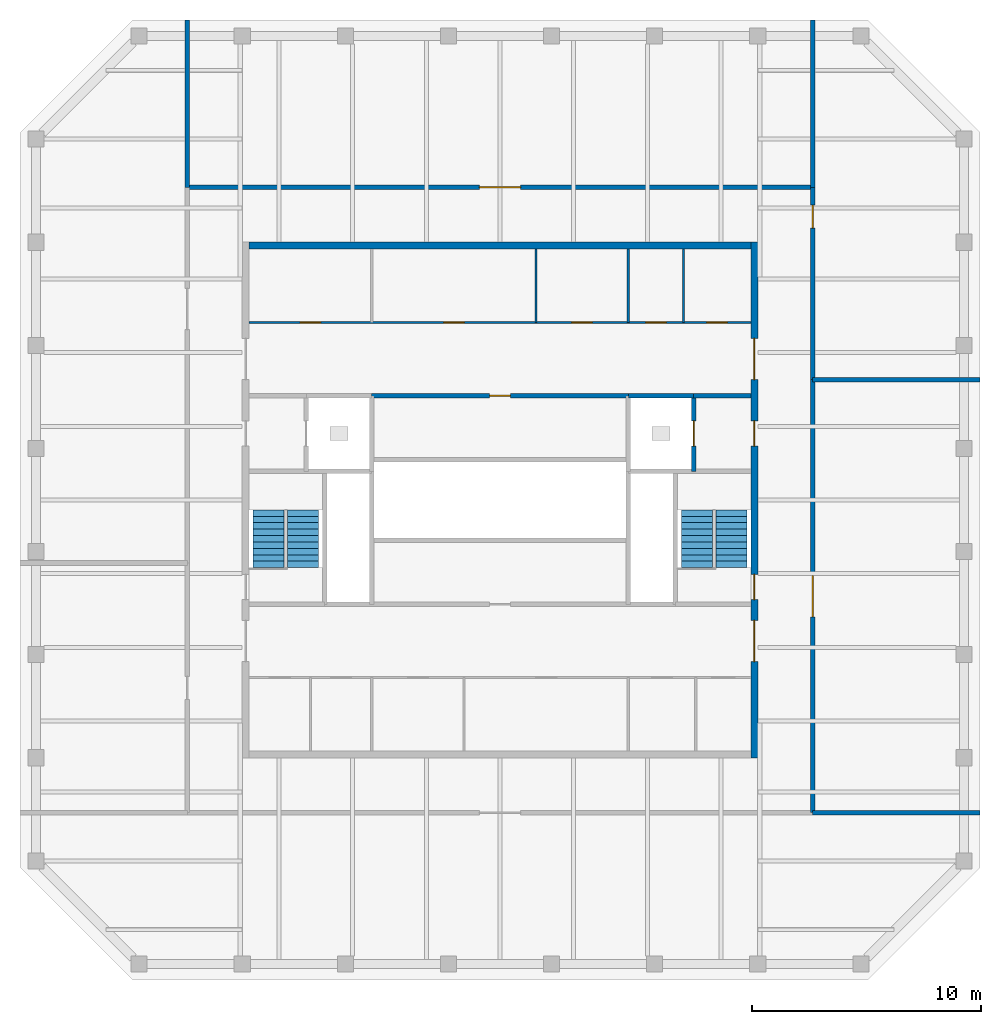
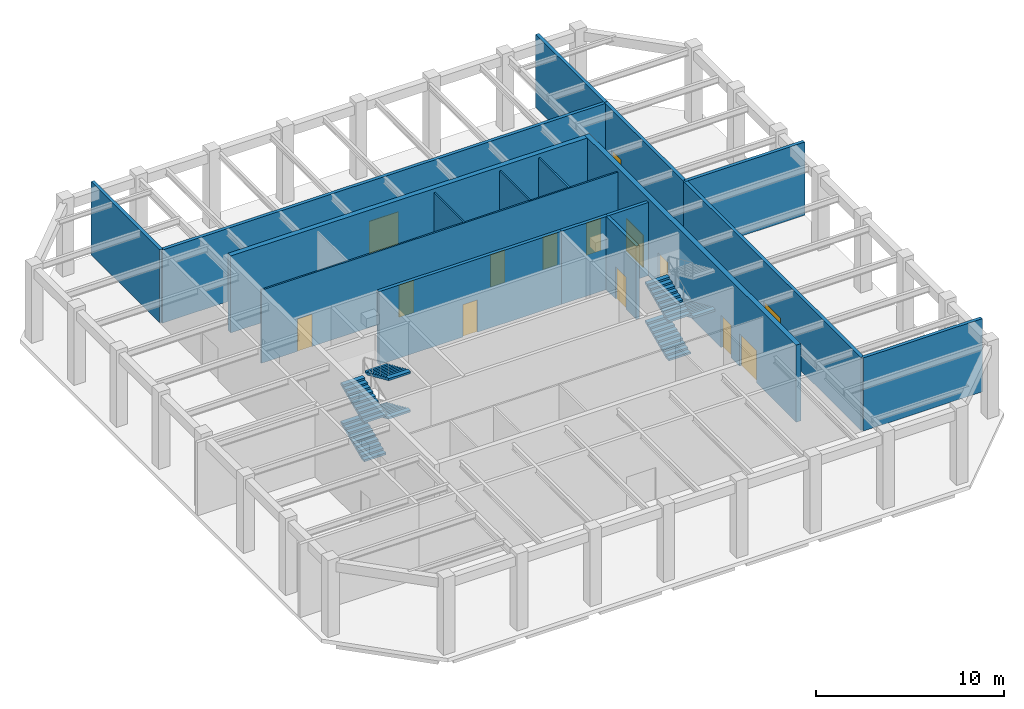
# One storey, part 4 of 6: 17 walls, 14 doors, 7 stair flights, 14 openings, 2 elements without a shape of their own.
"""IFC4 building model written with IfcOpenShell, lengths in metres."""

from ifc_helpers import new_model, si_unit, direction, frame, frame_2d, origin, place, context, subcontext, project, spatial, polyline, rectangle, outline, extrude, material, layer, layer_set, type_object, element, fill, aggregate, save


model = new_model("IFC4")

# Units and contexts
model_context = context("Model", 3, precision=1e-05, world=origin(), true_north=direction((0.0, 1.0)))
body_context = subcontext(model_context, "Body", "Model", "MODEL_VIEW")
ifc_project = project(units=[si_unit("LENGTHUNIT", "METRE"), si_unit("AREAUNIT", "SQUARE_METRE"), si_unit("VOLUMEUNIT", "CUBIC_METRE"), si_unit("PLANEANGLEUNIT", "RADIAN"), si_unit("MASSUNIT", "GRAM", prefix="KILO")], contexts=[model_context])

# Site, building, storey
site_placement = place(None, origin())
site = spatial("IfcSite", under=ifc_project, at=site_placement, CompositionType="ELEMENT")
building_placement = place(site_placement, origin())
building = spatial("IfcBuilding", under=site, at=building_placement, Name="Quoin Convention Tower", CompositionType="ELEMENT")
storey_placement = place(building_placement, frame((0.0, 0.0, 268.699951171875)))
storey = spatial("IfcBuildingStorey", under=building, at=storey_placement, Name="L70", CompositionType="ELEMENT", Elevation=268.699951171875)

# Wall, openings, doors
ifc_material_1 = material(Name="Plasterboard")
ifc_layer_1 = layer(ifc_material_1, 0.012451171875, Name="Finish")
ifc_material_2 = material(Name="Steel stud framing", Category="steel")
ifc_layer_2 = layer(ifc_material_2, 0.074951171875, Name="Structure")
ifc_layer_3 = layer(ifc_material_1, 0.012451171875, Name="Finish")
ifc_layer_set_1 = layer_set([ifc_layer_1, ifc_layer_2, ifc_layer_3], Name="Steel stud framing")
wall_type_1 = type_object("IfcWallType", Name="Core partition wall", PredefinedType="PARTITIONING", material=ifc_layer_set_1)
wall_1_placement = place(storey_placement, frame((45.300048828125, 68.5, 0.0), z_axis=(0.0, 0.0, 1.0), x_axis=(1.0, 0.0, 0.0)))
wall_1 = element("IfcWall", 1, at=wall_1_placement, inside=storey, type_object=wall_type_1, Name="cr-C1-L70-h19000_300", PredefinedType="PARTITIONING", context=body_context, shape_type="SweptSolid", body=[
    extrude(rectangle(XDim=21.89990234375, YDim=0.10009765625, at=frame_2d((10.949951171875, 0.0))), origin(), (0.0, 0.0, 1.0), 4.75),
])
opening_1_placement = place(wall_1_placement, frame((19.978759765625, 0.0, 0.0)))
opening_1 = element("IfcOpeningElement", 2, at=opening_1_placement, cuts=wall_1, Name="Opening DCV0-14", PredefinedType="OPENING", context=body_context, shape_type="SweptSolid", body=[
    extrude(rectangle(XDim=0.89990234375, YDim=2.10009765625, at=frame_2d((0.449951171875, 1.050048828125))), frame((0.0, 0.06005859375, 0.0), z_axis=(0.0, -1.0, 0.0), x_axis=(1.0, 0.0, 0.0)), (0.0, 0.0, 1.0), 0.1201171875),
])
opening_2_placement = place(wall_1_placement, frame((17.3037109375, 0.0, 0.0)))
opening_2 = element("IfcOpeningElement", 3, at=opening_2_placement, cuts=wall_1, Name="Opening DCV0-13", PredefinedType="OPENING", context=body_context, shape_type="SweptSolid", body=[
    extrude(rectangle(XDim=0.89990234375, YDim=2.10009765625, at=frame_2d((0.449951171875, 1.050048828125))), frame((0.0, 0.06005859375, 0.0), z_axis=(0.0, -1.0, 0.0), x_axis=(1.0, 0.0, 0.0)), (0.0, 0.0, 1.0), 0.1201171875),
])
opening_3_placement = place(wall_1_placement, frame((2.22509765625, 0.0, 0.0)))
opening_3 = element("IfcOpeningElement", 4, at=opening_3_placement, cuts=wall_1, Name="Opening DCV0-10", PredefinedType="OPENING", context=body_context, shape_type="SweptSolid", body=[
    extrude(rectangle(XDim=0.89990234375, YDim=2.10009765625, at=frame_2d((0.449951171875, 1.050048828125))), frame((0.0, 0.06005859375, 0.0), z_axis=(0.0, -1.0, 0.0), x_axis=(1.0, 0.0, 0.0)), (0.0, 0.0, 1.0), 0.1201171875),
])
opening_4_placement = place(wall_1_placement, frame((14.083984375, 0.0, 0.0)))
opening_4 = element("IfcOpeningElement", 5, at=opening_4_placement, cuts=wall_1, Name="Opening DCV0-12", PredefinedType="OPENING", context=body_context, shape_type="SweptSolid", body=[
    extrude(rectangle(XDim=0.89990234375, YDim=2.10009765625, at=frame_2d((0.449951171875, 1.050048828125))), frame((0.0, 0.06005859375, 0.0), z_axis=(0.0, -1.0, 0.0), x_axis=(1.0, 0.0, 0.0)), (0.0, 0.0, 1.0), 0.1201171875),
])
opening_5_placement = place(wall_1_placement, frame((8.48388671875, 0.0, 0.0)))
opening_5 = element("IfcOpeningElement", 6, at=opening_5_placement, cuts=wall_1, Name="Opening DCV0-11", PredefinedType="OPENING", context=body_context, shape_type="SweptSolid", body=[
    extrude(rectangle(XDim=0.89990234375, YDim=2.10009765625, at=frame_2d((0.449951171875, 1.050048828125))), frame((0.0, 0.06005859375, 0.0), z_axis=(0.0, -1.0, 0.0), x_axis=(1.0, 0.0, 0.0)), (0.0, 0.0, 1.0), 0.1201171875),
])
ifc_material_3 = material(Name="Steel door leaf", Category="steel")
door_type_1 = type_object("IfcDoorType", Name="Core room door 900 x 2100", OperationType="SINGLE_SWING_LEFT", PredefinedType="DOOR", material=ifc_material_3)
door_1_placement = place(opening_1_placement, origin())
door_1 = element("IfcDoor", 7, at=door_1_placement, inside=storey, type_object=door_type_1, Name="cd-C1-L70-CNE0-lobB-CD7007", OperationType="SINGLE_SWING_LEFT", OverallHeight=2.10009765625, OverallWidth=0.89990234375, PredefinedType="DOOR", context=body_context, shape_type="SweptSolid", body=[
    extrude(rectangle(XDim=0.89990234375, YDim=2.10009765625, at=frame_2d((0.449951171875, 1.050048828125))), frame((0.0, 0.02490234375, 0.0), z_axis=(0.0, -1.0, 0.0), x_axis=(1.0, 0.0, 0.0)), (0.0, 0.0, 1.0), 0.050048828125),
])
fill(opening_1, door_1)
door_2_placement = place(opening_2_placement, origin())
door_2 = element("IfcDoor", 8, at=door_2_placement, inside=storey, type_object=door_type_1, Name="cd-C1-L70-CNE1-lobB-CD7008", OperationType="SINGLE_SWING_RIGHT", OverallHeight=2.10009765625, OverallWidth=0.89990234375, PredefinedType="DOOR", context=body_context, shape_type="SweptSolid", body=[
    extrude(rectangle(XDim=0.89990234375, YDim=2.10009765625, at=frame_2d((0.449951171875, 1.050048828125))), frame((0.0, 0.02490234375, 0.0), z_axis=(0.0, -1.0, 0.0), x_axis=(1.0, 0.0, 0.0)), (0.0, 0.0, 1.0), 0.050048828125),
])
fill(opening_2, door_2)
door_3_placement = place(opening_3_placement, origin())
door_3 = element("IfcDoor", 9, at=door_3_placement, inside=storey, type_object=door_type_1, Name="cd-C1-L70-CNW0-lobB-CD7009", OperationType="SINGLE_SWING_RIGHT", OverallHeight=2.10009765625, OverallWidth=0.89990234375, PredefinedType="DOOR", context=body_context, shape_type="SweptSolid", body=[
    extrude(rectangle(XDim=0.89990234375, YDim=2.10009765625, at=frame_2d((0.449951171875, 1.050048828125))), frame((0.0, 0.02490234375, 0.0), z_axis=(0.0, -1.0, 0.0), x_axis=(1.0, 0.0, 0.0)), (0.0, 0.0, 1.0), 0.050048828125),
])
fill(opening_3, door_3)
door_4_placement = place(opening_4_placement, origin())
door_4 = element("IfcDoor", 10, at=door_4_placement, inside=storey, type_object=door_type_1, Name="cd-C1-L70-F40-lobB-CD7018", OperationType="SINGLE_SWING_RIGHT", OverallHeight=2.10009765625, OverallWidth=0.89990234375, PredefinedType="DOOR", context=body_context, shape_type="SweptSolid", body=[
    extrude(rectangle(XDim=0.89990234375, YDim=2.10009765625, at=frame_2d((0.449951171875, 1.050048828125))), frame((0.0, 0.02490234375, 0.0), z_axis=(0.0, -1.0, 0.0), x_axis=(1.0, 0.0, 0.0)), (0.0, 0.0, 1.0), 0.050048828125),
])
fill(opening_4, door_4)
door_5_placement = place(opening_5_placement, origin())
door_5 = element("IfcDoor", 11, at=door_5_placement, inside=storey, type_object=door_type_1, Name="cd-C1-L70-F41-lobB-CD7019", OperationType="SINGLE_SWING_RIGHT", OverallHeight=2.10009765625, OverallWidth=0.89990234375, PredefinedType="DOOR", context=body_context, shape_type="SweptSolid", body=[
    extrude(rectangle(XDim=0.89990234375, YDim=2.10009765625, at=frame_2d((0.449951171875, 1.050048828125))), frame((0.0, 0.02490234375, 0.0), z_axis=(0.0, -1.0, 0.0), x_axis=(1.0, 0.0, 0.0)), (0.0, 0.0, 1.0), 0.050048828125),
])
fill(opening_5, door_5)

# Walls
for number, where, z_axis, x_axis, name in (
    (12, (57.818115234375, 68.5, 0.0), (0.0, 0.0, 1.0), (0.0, 1.0, 0.0), "cr-C1-L70-v12818_19000"),
    (13, (61.85009765625, 68.5, 0.0), (0.0, 0.0, 1.0), (0.0, 1.0, 0.0), "cr-C1-L70-v16850_19000"),
    (14, (64.257568359375, 68.5, 0.0), (0.0, 0.0, 1.0), (0.0, 1.0, 0.0), "cr-C1-L70-v19258_19000"),
):
    element("IfcWall", number, at=place(storey_placement, frame(where, z_axis=z_axis, x_axis=x_axis)), inside=storey, type_object=wall_type_1, Name=name, PredefinedType="PARTITIONING", context=body_context, shape_type="SweptSolid", body=[
        extrude(rectangle(XDim=3.199951171875, YDim=0.10009765625, at=frame_2d((1.60009765625, 0.0))), origin(), (0.0, 0.0, 1.0), 4.75),
    ])
ifc_material_4 = material(Name="Concrete C50", Category="concrete")
ifc_layer_4 = layer(ifc_material_4, 0.199951171875)
ifc_layer_set_2 = layer_set([ifc_layer_4], Name="Concrete C50")
wall_type_2 = type_object("IfcWallType", Name="Core shaft wall", PredefinedType="SOLIDWALL", material=ifc_layer_set_2)
wall_2_placement = place(storey_placement, frame((64.699951171875, 65.300048828125, 0.0), z_axis=(0.0, 0.0, 1.0), x_axis=(1.0, 0.0, 0.0)))
element("IfcWall", 15, at=wall_2_placement, inside=storey, type_object=wall_type_2, Name="cr-C1-L70-h15800_19700", PredefinedType="SOLIDWALL", context=body_context, shape_type="SweptSolid", body=[
    extrude(rectangle(XDim=2.5, YDim=0.199951171875, at=frame_2d((1.25, 0.0))), origin(), (0.0, 0.0, 1.0), 4.75),
])

# Wall, opening, door
wall_3_placement = place(storey_placement, frame((50.64990234375, 65.300048828125, 0.0), z_axis=(0.0, 0.0, 1.0), x_axis=(1.0, 0.0, 0.0)))
wall_3 = element("IfcWall", 16, at=wall_3_placement, inside=storey, type_object=wall_type_2, Name="cr-C1-L70-h15800_5650", PredefinedType="SOLIDWALL", context=body_context, shape_type="SweptSolid", body=[
    extrude(rectangle(XDim=11.2001953125, YDim=0.199951171875, at=frame_2d((5.60009765625, 0.0))), origin(), (0.0, 0.0, 1.0), 4.75),
])
opening_6_placement = place(wall_3_placement, frame((5.14990234375, 0.0, 0.0)))
opening_6 = element("IfcOpeningElement", 17, at=opening_6_placement, cuts=wall_3, Name="Opening DCV0-02", PredefinedType="OPENING", context=body_context, shape_type="SweptSolid", body=[
    extrude(rectangle(XDim=0.89990234375, YDim=2.10009765625, at=frame_2d((0.449951171875, 1.050048828125))), frame((0.0, 0.10986328125, 0.0), z_axis=(0.0, -1.0, 0.0), x_axis=(1.0, 0.0, 0.0)), (0.0, 0.0, 1.0), 0.219970703125),
])
door_6_placement = place(opening_6_placement, frame((0.89990234375, 0.0, 0.0), z_axis=(0.0, 0.0, 1.0), x_axis=(-1.0, 0.0, 0.0)))
door_6 = element("IfcDoor", 18, at=door_6_placement, inside=storey, type_object=door_type_1, Name="cd-C1-L70-F30-lobB-CD7017", OperationType="SINGLE_SWING_LEFT", OverallHeight=2.10009765625, OverallWidth=0.89990234375, PredefinedType="DOOR", context=body_context, shape_type="SweptSolid", body=[
    extrude(rectangle(XDim=0.89990234375, YDim=2.10009765625, at=frame_2d((0.449951171875, 1.050048828125))), frame((0.0, 0.02490234375, 0.0), z_axis=(0.0, -1.0, 0.0), x_axis=(1.0, 0.0, 0.0)), (0.0, 0.0, 1.0), 0.050048828125),
])
fill(opening_6, door_6)

# Wall
wall_4_placement = place(storey_placement, frame((61.85009765625, 65.300048828125, 0.0), z_axis=(0.0, 0.0, 1.0), x_axis=(1.0, 0.0, 0.0)))
element("IfcWall", 19, at=wall_4_placement, inside=storey, type_object=wall_type_2, Name="cr-C1-L70-h15800_16850", PredefinedType="SOLIDWALL", context=body_context, shape_type="SweptSolid", body=[
    extrude(rectangle(XDim=2.849853515625, YDim=0.199951171875, at=frame_2d((1.4248046875, 0.0))), origin(), (0.0, 0.0, 1.0), 4.75),
])

# Wall, opening, door
wall_5_placement = place(storey_placement, frame((64.699951171875, 62.0, 0.0), z_axis=(0.0, 0.0, 1.0), x_axis=(0.0, 1.0, 0.0)))
wall_5 = element("IfcWall", 20, at=wall_5_placement, inside=storey, type_object=wall_type_2, Name="cr-C1-L70-v19700_12500", PredefinedType="SOLIDWALL", context=body_context, shape_type="SweptSolid", body=[
    extrude(rectangle(XDim=3.300048828125, YDim=0.199951171875, at=frame_2d((1.64990234375, 0.0))), origin(), (0.0, 0.0, 1.0), 4.75),
])
opening_7_placement = place(wall_5_placement, frame((1.10009765625, 0.0, 0.0)))
opening_7 = element("IfcOpeningElement", 21, at=opening_7_placement, cuts=wall_5, Name="Opening LDFL2", PredefinedType="OPENING", context=body_context, shape_type="SweptSolid", body=[
    extrude(rectangle(XDim=1.10009765625, YDim=2.10009765625, at=frame_2d((0.550048828125, 1.050048828125))), frame((0.0, 0.10986328125, 0.0), z_axis=(0.0, -1.0, 0.0), x_axis=(1.0, 0.0, 0.0)), (0.0, 0.0, 1.0), 0.219970703125),
])
door_type_2 = type_object("IfcDoorType", Name="Lift landing door 1100 x 2100", OperationType="DOUBLE_DOOR_SLIDING", PredefinedType="DOOR", material=ifc_material_3)
door_7_placement = place(opening_7_placement, origin())
door_7 = element("IfcDoor", 22, at=door_7_placement, inside=storey, type_object=door_type_2, Name="cd-C1-L70-FLE-FFE-LDFL2", OperationType="DOUBLE_DOOR_SLIDING", OverallHeight=2.10009765625, OverallWidth=1.10009765625, PredefinedType="DOOR", context=body_context, shape_type="SweptSolid", body=[
    extrude(rectangle(XDim=1.10009765625, YDim=2.10009765625, at=frame_2d((0.550048828125, 1.050048828125))), frame((0.0, 0.02490234375, 0.0), z_axis=(0.0, -1.0, 0.0), x_axis=(1.0, 0.0, 0.0)), (0.0, 0.0, 1.0), 0.050048828125),
])
fill(opening_7, door_7)

# Wall
ifc_layer_5 = layer(ifc_material_1, 0.012451171875, Name="Finish")
ifc_layer_6 = layer(ifc_material_2, 0.175048828125, Name="Structure")
ifc_layer_7 = layer(ifc_material_1, 0.012451171875, Name="Finish")
ifc_layer_set_3 = layer_set([ifc_layer_5, ifc_layer_6, ifc_layer_7], Name="Steel stud framing")
wall_type_3 = type_object("IfcWallType", Name="Plant room wall 200", PredefinedType="PARTITIONING", material=ifc_layer_set_3)
wall_6_placement = place(storey_placement, frame((69.89990234375, 47.10009765625, 0.0), z_axis=(0.0, 0.0, 1.0), x_axis=(1.0, 0.0, 0.0)))
element("IfcWall", 23, at=wall_6_placement, inside=storey, type_object=wall_type_3, Name="pw-L70-004", PredefinedType="PARTITIONING", context=body_context, shape_type="SweptSolid", body=[
    extrude(rectangle(XDim=7.300048828125, YDim=0.199951171875, at=frame_2d((3.64990234375, 0.0))), origin(), (0.0, 0.0, 1.0), 4.75),
])

# Wall, opening, door
wall_7_placement = place(storey_placement, frame((69.89990234375, 47.10009765625, 0.0), z_axis=(0.0, 0.0, 1.0), x_axis=(0.0, 1.0, 0.0)))
wall_7 = element("IfcWall", 24, at=wall_7_placement, inside=storey, type_object=wall_type_3, Name="pw-L70-005", PredefinedType="PARTITIONING", context=body_context, shape_type="SweptSolid", body=[
    extrude(rectangle(XDim=18.89990234375, YDim=0.199951171875, at=frame_2d((9.449951171875, 0.0))), origin(), (0.0, 0.0, 1.0), 4.75),
])
opening_8_placement = place(wall_7_placement, frame((8.550048828125, 0.0, 0.0)))
opening_8 = element("IfcOpeningElement", 25, at=opening_8_placement, cuts=wall_7, Name="Opening DPDC2-03", PredefinedType="OPENING", context=body_context, shape_type="SweptSolid", body=[
    extrude(rectangle(XDim=1.800048828125, YDim=2.10009765625, at=frame_2d((0.89990234375, 1.050048828125))), frame((0.0, 0.10986328125, 0.0), z_axis=(0.0, -1.0, 0.0), x_axis=(1.0, 0.0, 0.0)), (0.0, 0.0, 1.0), 0.219970703125),
])
door_type_3 = type_object("IfcDoorType", Name="Plant door pair 1800", OperationType="DOUBLE_DOOR_SINGLE_SWING", PredefinedType="DOOR", material=ifc_material_3)
door_8_placement = place(opening_8_placement, frame((1.800048828125, 0.0, 0.0), z_axis=(0.0, 0.0, 1.0), x_axis=(-1.0, 0.0, 0.0)))
door_8 = element("IfcDoor", 26, at=door_8_placement, inside=storey, type_object=door_type_3, Name="dr-L70-002", OperationType="DOUBLE_DOOR_SINGLE_SWING", OverallHeight=2.10009765625, OverallWidth=1.800048828125, PredefinedType="DOOR", context=body_context, shape_type="SweptSolid", body=[
    extrude(rectangle(XDim=1.800048828125, YDim=2.10009765625, at=frame_2d((0.89990234375, 1.050048828125))), frame((0.0, 0.02490234375, 0.0), z_axis=(0.0, -1.0, 0.0), x_axis=(1.0, 0.0, 0.0)), (0.0, 0.0, 1.0), 0.050048828125),
])
fill(opening_8, door_8)

# Wall
wall_8_placement = place(storey_placement, frame((69.89990234375, 66.0, 0.0), z_axis=(0.0, 0.0, 1.0), x_axis=(1.0, 0.0, 0.0)))
element("IfcWall", 27, at=wall_8_placement, inside=storey, type_object=wall_type_3, Name="pw-L70-008", PredefinedType="PARTITIONING", context=body_context, shape_type="SweptSolid", body=[
    extrude(rectangle(XDim=7.300048828125, YDim=0.199951171875, at=frame_2d((3.64990234375, 0.0))), origin(), (0.0, 0.0, 1.0), 4.75),
])

# Wall, opening, door
wall_9_placement = place(storey_placement, frame((69.89990234375, 66.0, 0.0), z_axis=(0.0, 0.0, 1.0), x_axis=(0.0, 1.0, 0.0)))
wall_9 = element("IfcWall", 28, at=wall_9_placement, inside=storey, type_object=wall_type_3, Name="pw-L70-009", PredefinedType="PARTITIONING", context=body_context, shape_type="SweptSolid", body=[
    extrude(rectangle(XDim=8.39990234375, YDim=0.199951171875, at=frame_2d((4.199951171875, 0.0))), origin(), (0.0, 0.0, 1.0), 4.75),
])
opening_9_placement = place(wall_9_placement, frame((6.6201171875, 0.0, 0.0)))
opening_9 = element("IfcOpeningElement", 29, at=opening_9_placement, cuts=wall_9, Name="Opening DPDC2-05", PredefinedType="OPENING", context=body_context, shape_type="SweptSolid", body=[
    extrude(rectangle(XDim=1.0, YDim=2.10009765625, at=frame_2d((0.5, 1.050048828125))), frame((0.0, 0.10986328125, 0.0), z_axis=(0.0, -1.0, 0.0), x_axis=(1.0, 0.0, 0.0)), (0.0, 0.0, 1.0), 0.219970703125),
])
door_type_4 = type_object("IfcDoorType", Name="Plant door 1000", OperationType="SINGLE_SWING_RIGHT", PredefinedType="DOOR", material=ifc_material_3)
door_9_placement = place(opening_9_placement, frame((1.0, 0.0, 0.0), z_axis=(0.0, 0.0, 1.0), x_axis=(-1.0, 0.0, 0.0)))
door_9 = element("IfcDoor", 30, at=door_9_placement, inside=storey, type_object=door_type_4, Name="dr-L70-003", OperationType="SINGLE_SWING_LEFT", OverallHeight=2.10009765625, OverallWidth=1.0, PredefinedType="DOOR", context=body_context, shape_type="SweptSolid", body=[
    extrude(rectangle(XDim=1.0, YDim=2.10009765625, at=frame_2d((0.5, 1.050048828125))), frame((0.0, 0.02490234375, 0.0), z_axis=(0.0, -1.0, 0.0), x_axis=(1.0, 0.0, 0.0)), (0.0, 0.0, 1.0), 0.050048828125),
])
fill(opening_9, door_9)

wall_10_placement = place(storey_placement, frame((42.60009765625, 74.39990234375, 0.0), z_axis=(0.0, 0.0, 1.0), x_axis=(1.0, 0.0, 0.0)))
wall_10 = element("IfcWall", 31, at=wall_10_placement, inside=storey, type_object=wall_type_3, Name="pw-L70-010", PredefinedType="PARTITIONING", context=body_context, shape_type="SweptSolid", body=[
    extrude(rectangle(XDim=27.2998046875, YDim=0.199951171875, at=frame_2d((13.64990234375, 0.0))), origin(), (0.0, 0.0, 1.0), 4.75),
])
opening_10_placement = place(wall_10_placement, frame((12.75, 0.0, 0.0)))
opening_10 = element("IfcOpeningElement", 32, at=opening_10_placement, cuts=wall_10, Name="Opening DPDC2-06", PredefinedType="OPENING", context=body_context, shape_type="SweptSolid", body=[
    extrude(rectangle(XDim=1.800048828125, YDim=2.10009765625, at=frame_2d((0.89990234375, 1.050048828125))), frame((0.0, 0.10986328125, 0.0), z_axis=(0.0, -1.0, 0.0), x_axis=(1.0, 0.0, 0.0)), (0.0, 0.0, 1.0), 0.219970703125),
])
door_10_placement = place(opening_10_placement, origin())
door_10 = element("IfcDoor", 33, at=door_10_placement, inside=storey, type_object=door_type_3, Name="dr-L70-004", OperationType="DOUBLE_DOOR_SINGLE_SWING", OverallHeight=2.10009765625, OverallWidth=1.800048828125, PredefinedType="DOOR", context=body_context, shape_type="SweptSolid", body=[
    extrude(rectangle(XDim=1.800048828125, YDim=2.10009765625, at=frame_2d((0.89990234375, 1.050048828125))), frame((0.0, 0.02490234375, 0.0), z_axis=(0.0, -1.0, 0.0), x_axis=(1.0, 0.0, 0.0)), (0.0, 0.0, 1.0), 0.050048828125),
])
fill(opening_10, door_10)

# Walls
for number, where, z_axis, x_axis, name in (
    (34, (42.60009765625, 74.39990234375, 0.0), (0.0, 0.0, 1.0), (0.0, 1.0, 0.0), "pw-L70-011"),
    (35, (69.89990234375, 74.39990234375, 0.0), (0.0, 0.0, 1.0), (0.0, 1.0, 0.0), "pw-L70-012"),
):
    element("IfcWall", number, at=place(storey_placement, frame(where, z_axis=z_axis, x_axis=x_axis)), inside=storey, type_object=wall_type_3, Name=name, PredefinedType="PARTITIONING", context=body_context, shape_type="SweptSolid", body=[
        extrude(rectangle(XDim=7.300048828125, YDim=0.199951171875, at=frame_2d((3.64990234375, 0.0))), origin(), (0.0, 0.0, 1.0), 4.75),
    ])
ifc_material_5 = material(Name="Concrete C40", Category="concrete")
ifc_layer_8 = layer(ifc_material_5, 0.300048828125)
ifc_layer_set_4 = layer_set([ifc_layer_8], Name="Concrete C40")
wall_type_4 = type_object("IfcWallType", Name="RC CORE WALL 300 C40", PredefinedType="SHEAR", material=ifc_layer_set_4)
wall_11_placement = place(storey_placement, frame((45.300048828125, 71.85009765625, 0.0), z_axis=(0.0, 0.0, 1.0), x_axis=(1.0, 0.0, 0.0)))
element("IfcWall", 36, at=wall_11_placement, inside=storey, type_object=wall_type_4, Name="cwl-C1-L70-N", PredefinedType="SHEAR", context=body_context, shape_type="SweptSolid", body=[
    extrude(rectangle(XDim=21.89990234375, YDim=0.300048828125, at=frame_2d((10.949951171875, 0.0))), origin(), (0.0, 0.0, 1.0), 5.0),
])

# Wall, openings, doors
wall_12_placement = place(storey_placement, frame((67.35009765625, 49.5, 0.0), z_axis=(0.0, 0.0, 1.0), x_axis=(0.0, 1.0, 0.0)))
wall_12 = element("IfcWall", 37, at=wall_12_placement, inside=storey, type_object=wall_type_4, Name="cwl-C1-L70-E", PredefinedType="SHEAR", context=body_context, shape_type="SweptSolid", body=[
    extrude(rectangle(XDim=22.5, YDim=0.300048828125, at=frame_2d((11.25, 0.0))), origin(), (0.0, 0.0, 1.0), 5.0),
])
opening_11_placement = place(wall_12_placement, frame((4.199951171875, 0.0, 0.0)))
opening_11 = element("IfcOpeningElement", 38, at=opening_11_placement, cuts=wall_12, Name="Opening DCV0-57", PredefinedType="OPENING", context=body_context, shape_type="SweptSolid", body=[
    extrude(rectangle(XDim=1.800048828125, YDim=2.10009765625, at=frame_2d((0.89990234375, 1.050048828125))), frame((0.0, 0.159912109375, 0.0), z_axis=(0.0, -1.0, 0.0), x_axis=(1.0, 0.0, 0.0)), (0.0, 0.0, 1.0), 0.320068359375),
])
opening_12_placement = place(wall_12_placement, frame((6.89990234375, 0.0, 0.0)))
opening_12 = element("IfcOpeningElement", 39, at=opening_12_placement, cuts=wall_12, Name="Opening SD2", PredefinedType="OPENING", context=body_context, shape_type="SweptSolid", body=[
    extrude(rectangle(XDim=1.10009765625, YDim=2.10009765625, at=frame_2d((0.550048828125, 1.050048828125))), frame((0.0, 0.159912109375, 0.0), z_axis=(0.0, -1.0, 0.0), x_axis=(1.0, 0.0, 0.0)), (0.0, 0.0, 1.0), 0.320068359375),
])
opening_13_placement = place(wall_12_placement, frame((13.60009765625, 0.0, 0.0)))
opening_13 = element("IfcOpeningElement", 40, at=opening_13_placement, cuts=wall_12, Name="Opening DCV0-56", PredefinedType="OPENING", context=body_context, shape_type="SweptSolid", body=[
    extrude(rectangle(XDim=1.10009765625, YDim=2.10009765625, at=frame_2d((0.550048828125, 1.050048828125))), frame((0.0, 0.159912109375, 0.0), z_axis=(0.0, -1.0, 0.0), x_axis=(1.0, 0.0, 0.0)), (0.0, 0.0, 1.0), 0.320068359375),
])
opening_14_placement = place(wall_12_placement, frame((16.5, 0.0, 0.0)))
opening_14 = element("IfcOpeningElement", 41, at=opening_14_placement, cuts=wall_12, Name="Opening DCV0-57", PredefinedType="OPENING", context=body_context, shape_type="SweptSolid", body=[
    extrude(rectangle(XDim=1.800048828125, YDim=2.10009765625, at=frame_2d((0.89990234375, 1.050048828125))), frame((0.0, 0.159912109375, 0.0), z_axis=(0.0, -1.0, 0.0), x_axis=(1.0, 0.0, 0.0)), (0.0, 0.0, 1.0), 0.320068359375),
])
door_type_5 = type_object("IfcDoorType", Name="Fire-fighting lobby door 1100 x 2100", OperationType="SINGLE_SWING_LEFT", PredefinedType="DOOR", material=ifc_material_3)
door_11_placement = place(opening_13_placement, origin())
door_11 = element("IfcDoor", 42, at=door_11_placement, inside=storey, type_object=door_type_5, Name="cd-C1-L70-FFE-E", OperationType="SINGLE_SWING_RIGHT", OverallHeight=2.10009765625, OverallWidth=1.10009765625, PredefinedType="DOOR", context=body_context, shape_type="SweptSolid", body=[
    extrude(rectangle(XDim=1.10009765625, YDim=2.10009765625, at=frame_2d((0.550048828125, 1.050048828125))), frame((0.0, 0.02490234375, 0.0), z_axis=(0.0, -1.0, 0.0), x_axis=(1.0, 0.0, 0.0)), (0.0, 0.0, 1.0), 0.050048828125),
])
fill(opening_13, door_11)
door_type_6 = type_object("IfcDoorType", Name="Lift lobby door 1800 x 2100", OperationType="SINGLE_SWING_LEFT", PredefinedType="DOOR", material=ifc_material_3)
door_12_placement = place(opening_11_placement, origin())
door_12 = element("IfcDoor", 43, at=door_12_placement, inside=storey, type_object=door_type_6, Name="cd-C1-L70-lobA-E", OperationType="SINGLE_SWING_RIGHT", OverallHeight=2.10009765625, OverallWidth=1.800048828125, PredefinedType="DOOR", context=body_context, shape_type="SweptSolid", body=[
    extrude(rectangle(XDim=1.800048828125, YDim=2.10009765625, at=frame_2d((0.89990234375, 1.050048828125))), frame((0.0, 0.02490234375, 0.0), z_axis=(0.0, -1.0, 0.0), x_axis=(1.0, 0.0, 0.0)), (0.0, 0.0, 1.0), 0.050048828125),
])
fill(opening_11, door_12)
door_13_placement = place(opening_14_placement, origin())
door_13 = element("IfcDoor", 44, at=door_13_placement, inside=storey, type_object=door_type_6, Name="cd-C1-L70-lobB-E", OperationType="SINGLE_SWING_RIGHT", OverallHeight=2.10009765625, OverallWidth=1.800048828125, PredefinedType="DOOR", context=body_context, shape_type="SweptSolid", body=[
    extrude(rectangle(XDim=1.800048828125, YDim=2.10009765625, at=frame_2d((0.89990234375, 1.050048828125))), frame((0.0, 0.02490234375, 0.0), z_axis=(0.0, -1.0, 0.0), x_axis=(1.0, 0.0, 0.0)), (0.0, 0.0, 1.0), 0.050048828125),
])
fill(opening_14, door_13)
door_type_7 = type_object("IfcDoorType", Name="Stair door 1100 x 2100", OperationType="SINGLE_SWING_RIGHT", PredefinedType="DOOR", material=ifc_material_3)
door_14_placement = place(opening_12_placement, origin())
door_14 = element("IfcDoor", 45, at=door_14_placement, inside=storey, type_object=door_type_7, Name="cd-C1-L70-STE-E", OperationType="SINGLE_SWING_LEFT", OverallHeight=2.10009765625, OverallWidth=1.10009765625, PredefinedType="DOOR", context=body_context, shape_type="SweptSolid", body=[
    extrude(rectangle(XDim=1.10009765625, YDim=2.10009765625, at=frame_2d((0.550048828125, 1.050048828125))), frame((0.0, 0.02490234375, 0.0), z_axis=(0.0, -1.0, 0.0), x_axis=(1.0, 0.0, 0.0)), (0.0, 0.0, 1.0), 0.050048828125),
])
fill(opening_12, door_14)

# Stair, stair flights
stair_type = type_object("IfcStairType", Name="Exit stair four-flight 1350", PredefinedType="DOUBLE_RETURN_STAIR", material=ifc_material_5)
stair_1_placement = place(storey_placement, origin())
stair_1 = element("IfcStair", 46, at=stair_1_placement, inside=storey, type_object=stair_type, Name="SD1 L70", PredefinedType="DOUBLE_RETURN_STAIR")
stair_flight_type = type_object("IfcStairFlightType", Name="Stair flight 1350", PredefinedType="STRAIGHT", material=ifc_material_5)
stair_flight_1_placement = place(storey_placement, frame((46.14990234375, 57.800048828125, 0.0), z_axis=(0.0, 0.0, 1.0), x_axis=(0.0, 1.0, 0.0)))
stair_flight_1 = element("IfcStairFlight", 47, at=stair_flight_1_placement, type_object=stair_flight_type, Name="ST1 flight 1", NumberOfRisers=10, NumberOfTreads=9, PredefinedType="STRAIGHT", RiserHeight=0.125, TreadLength=0.28, context=body_context, shape_type="SweptSolid", body=[
    extrude(outline(polyline([(0.0, 0.0), (0.0, 0.125), (0.280029296875, 0.125), (0.280029296875, 0.25), (0.56005859375, 0.25), (0.56005859375, 0.375), (0.840087890625, 0.375), (0.840087890625, 0.5), (1.1201171875, 0.5), (1.1201171875, 0.625), (1.39990234375, 0.625), (1.39990234375, 0.75), (1.679931640625, 0.75), (1.679931640625, 0.875), (1.9599609375, 0.875), (1.9599609375, 1.0), (2.239990234375, 1.0), (2.239990234375, 1.125), (2.52001953125, 1.125), (2.52001953125, 1.25), (2.52001953125, 0.993408203125), (0.294677734375, 0.0), (0.0, 0.0)])), frame((0.0, 0.675048828125, 0.0), z_axis=(0.0, -1.0, 0.0), x_axis=(1.0, 0.0, 0.0)), (0.0, 0.0, 1.0), 1.35009765625),
])
stair_flight_2_placement = place(storey_placement, frame((47.64990234375, 60.320068359375, 1.25), z_axis=(0.0, 0.0, 1.0), x_axis=(0.0, -1.0, 0.0)))
stair_flight_2 = element("IfcStairFlight", 48, at=stair_flight_2_placement, type_object=stair_flight_type, Name="ST1 flight 2", NumberOfRisers=10, NumberOfTreads=9, PredefinedType="STRAIGHT", RiserHeight=0.125, TreadLength=0.28, context=body_context, shape_type="SweptSolid", body=[
    extrude(outline(polyline([(0.0, 0.0), (0.0, 0.125), (0.280029296875, 0.125), (0.280029296875, 0.25), (0.56005859375, 0.25), (0.56005859375, 0.375), (0.840087890625, 0.375), (0.840087890625, 0.5), (1.1201171875, 0.5), (1.1201171875, 0.625), (1.39990234375, 0.625), (1.39990234375, 0.75), (1.679931640625, 0.75), (1.679931640625, 0.875), (1.9599609375, 0.875), (1.9599609375, 1.0), (2.239990234375, 1.0), (2.239990234375, 1.125), (2.52001953125, 1.125), (2.52001953125, 1.25), (2.52001953125, 0.993408203125), (0.294677734375, 0.0), (0.0, 0.0)])), frame((0.0, 0.675048828125, 0.0), z_axis=(0.0, -1.0, 0.0), x_axis=(1.0, 0.0, 0.0)), (0.0, 0.0, 1.0), 1.35009765625),
])
stair_flight_3_placement = place(storey_placement, frame((46.14990234375, 57.800048828125, 2.5), z_axis=(0.0, 0.0, 1.0), x_axis=(0.0, 1.0, 0.0)))
stair_flight_3 = element("IfcStairFlight", 49, at=stair_flight_3_placement, type_object=stair_flight_type, Name="ST1 flight 3", NumberOfRisers=10, NumberOfTreads=9, PredefinedType="STRAIGHT", RiserHeight=0.125, TreadLength=0.28, context=body_context, shape_type="SweptSolid", body=[
    extrude(outline(polyline([(0.0, 0.0), (0.0, 0.125), (0.280029296875, 0.125), (0.280029296875, 0.25), (0.56005859375, 0.25), (0.56005859375, 0.375), (0.840087890625, 0.375), (0.840087890625, 0.5), (1.1201171875, 0.5), (1.1201171875, 0.625), (1.39990234375, 0.625), (1.39990234375, 0.75), (1.679931640625, 0.75), (1.679931640625, 0.875), (1.9599609375, 0.875), (1.9599609375, 1.0), (2.239990234375, 1.0), (2.239990234375, 1.125), (2.52001953125, 1.125), (2.52001953125, 1.25), (2.52001953125, 0.993408203125), (0.294677734375, 0.0), (0.0, 0.0)])), frame((0.0, 0.675048828125, 0.0), z_axis=(0.0, -1.0, 0.0), x_axis=(1.0, 0.0, 0.0)), (0.0, 0.0, 1.0), 1.35009765625),
])
stair_flight_4_placement = place(storey_placement, frame((47.64990234375, 60.320068359375, 3.75), z_axis=(0.0, 0.0, 1.0), x_axis=(0.0, -1.0, 0.0)))
stair_flight_4 = element("IfcStairFlight", 50, at=stair_flight_4_placement, type_object=stair_flight_type, Name="ST1 flight 4", NumberOfRisers=10, NumberOfTreads=9, PredefinedType="STRAIGHT", RiserHeight=0.125, TreadLength=0.28, context=body_context, shape_type="SweptSolid", body=[
    extrude(outline(polyline([(0.0, 0.0), (0.0, 0.125), (0.280029296875, 0.125), (0.280029296875, 0.25), (0.56005859375, 0.25), (0.56005859375, 0.375), (0.840087890625, 0.375), (0.840087890625, 0.5), (1.1201171875, 0.5), (1.1201171875, 0.625), (1.39990234375, 0.625), (1.39990234375, 0.75), (1.679931640625, 0.75), (1.679931640625, 0.875), (1.9599609375, 0.875), (1.9599609375, 1.0), (2.239990234375, 1.0), (2.239990234375, 1.125), (2.52001953125, 1.125), (2.52001953125, 1.25), (2.52001953125, 0.993408203125), (0.294677734375, 0.0), (0.0, 0.0)])), frame((0.0, 0.675048828125, 0.0), z_axis=(0.0, -1.0, 0.0), x_axis=(1.0, 0.0, 0.0)), (0.0, 0.0, 1.0), 1.35009765625),
])
aggregate(stair_1, [stair_flight_1, stair_flight_2, stair_flight_3, stair_flight_4])

stair_2_placement = place(storey_placement, origin())
stair_2 = element("IfcStair", 51, at=stair_2_placement, inside=storey, type_object=stair_type, Name="SD2 L70", PredefinedType="DOUBLE_RETURN_STAIR")
stair_flight_5_placement = place(storey_placement, frame((64.85009765625, 57.800048828125, 0.0), z_axis=(0.0, 0.0, 1.0), x_axis=(0.0, 1.0, 0.0)))
stair_flight_5 = element("IfcStairFlight", 52, at=stair_flight_5_placement, type_object=stair_flight_type, Name="ST2 flight 1", NumberOfRisers=10, NumberOfTreads=9, PredefinedType="STRAIGHT", RiserHeight=0.125, TreadLength=0.28, context=body_context, shape_type="SweptSolid", body=[
    extrude(outline(polyline([(0.0, 0.0), (0.0, 0.125), (0.280029296875, 0.125), (0.280029296875, 0.25), (0.56005859375, 0.25), (0.56005859375, 0.375), (0.840087890625, 0.375), (0.840087890625, 0.5), (1.1201171875, 0.5), (1.1201171875, 0.625), (1.39990234375, 0.625), (1.39990234375, 0.75), (1.679931640625, 0.75), (1.679931640625, 0.875), (1.9599609375, 0.875), (1.9599609375, 1.0), (2.239990234375, 1.0), (2.239990234375, 1.125), (2.52001953125, 1.125), (2.52001953125, 1.25), (2.52001953125, 0.993408203125), (0.294677734375, 0.0), (0.0, 0.0)])), frame((0.0, 0.675048828125, 0.0), z_axis=(0.0, -1.0, 0.0), x_axis=(1.0, 0.0, 0.0)), (0.0, 0.0, 1.0), 1.35009765625),
])
stair_flight_6_placement = place(storey_placement, frame((66.35009765625, 60.320068359375, 1.25), z_axis=(0.0, 0.0, 1.0), x_axis=(0.0, -1.0, 0.0)))
stair_flight_6 = element("IfcStairFlight", 53, at=stair_flight_6_placement, type_object=stair_flight_type, Name="ST2 flight 2", NumberOfRisers=10, NumberOfTreads=9, PredefinedType="STRAIGHT", RiserHeight=0.125, TreadLength=0.28, context=body_context, shape_type="SweptSolid", body=[
    extrude(outline(polyline([(0.0, 0.0), (0.0, 0.125), (0.280029296875, 0.125), (0.280029296875, 0.25), (0.56005859375, 0.25), (0.56005859375, 0.375), (0.840087890625, 0.375), (0.840087890625, 0.5), (1.1201171875, 0.5), (1.1201171875, 0.625), (1.39990234375, 0.625), (1.39990234375, 0.75), (1.679931640625, 0.75), (1.679931640625, 0.875), (1.9599609375, 0.875), (1.9599609375, 1.0), (2.239990234375, 1.0), (2.239990234375, 1.125), (2.52001953125, 1.125), (2.52001953125, 1.25), (2.52001953125, 0.993408203125), (0.294677734375, 0.0), (0.0, 0.0)])), frame((0.0, 0.675048828125, 0.0), z_axis=(0.0, -1.0, 0.0), x_axis=(1.0, 0.0, 0.0)), (0.0, 0.0, 1.0), 1.35009765625),
])
stair_flight_7_placement = place(storey_placement, frame((64.85009765625, 57.800048828125, 2.5), z_axis=(0.0, 0.0, 1.0), x_axis=(0.0, 1.0, 0.0)))
stair_flight_7 = element("IfcStairFlight", 54, at=stair_flight_7_placement, type_object=stair_flight_type, Name="ST2 flight 3", NumberOfRisers=10, NumberOfTreads=9, PredefinedType="STRAIGHT", RiserHeight=0.125, TreadLength=0.28, context=body_context, shape_type="SweptSolid", body=[
    extrude(outline(polyline([(0.0, 0.0), (0.0, 0.125), (0.280029296875, 0.125), (0.280029296875, 0.25), (0.56005859375, 0.25), (0.56005859375, 0.375), (0.840087890625, 0.375), (0.840087890625, 0.5), (1.1201171875, 0.5), (1.1201171875, 0.625), (1.39990234375, 0.625), (1.39990234375, 0.75), (1.679931640625, 0.75), (1.679931640625, 0.875), (1.9599609375, 0.875), (1.9599609375, 1.0), (2.239990234375, 1.0), (2.239990234375, 1.125), (2.52001953125, 1.125), (2.52001953125, 1.25), (2.52001953125, 0.993408203125), (0.294677734375, 0.0), (0.0, 0.0)])), frame((0.0, 0.675048828125, 0.0), z_axis=(0.0, -1.0, 0.0), x_axis=(1.0, 0.0, 0.0)), (0.0, 0.0, 1.0), 1.35009765625),
])
aggregate(stair_2, [stair_flight_5, stair_flight_6, stair_flight_7])

save(model, "model.ifc")
